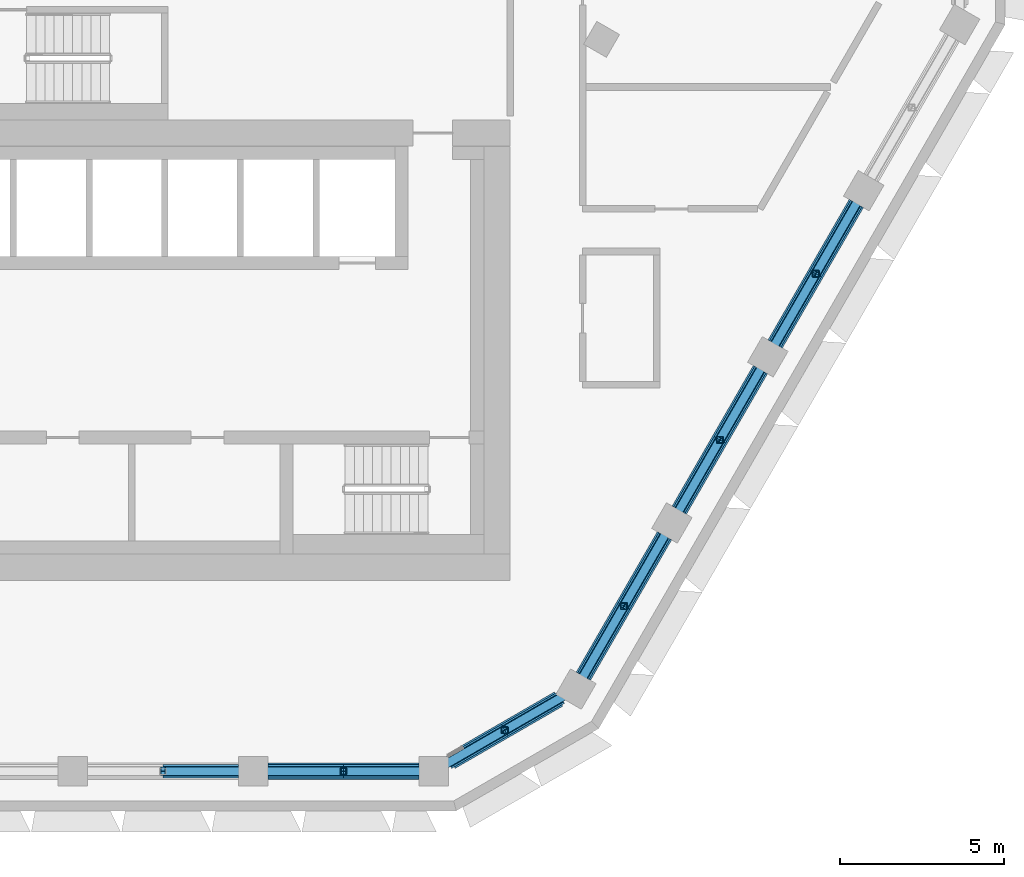
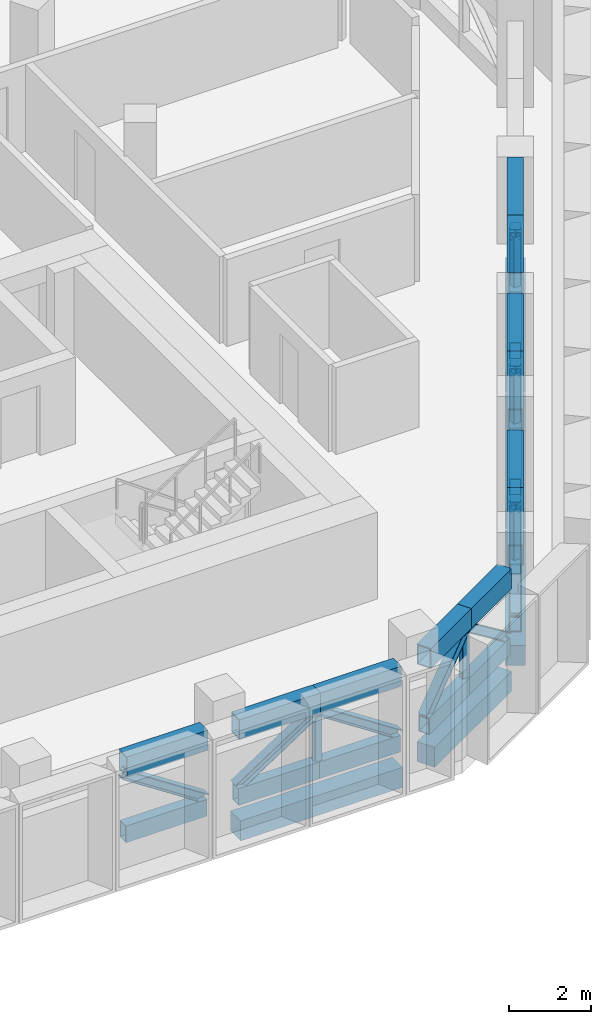
# One storey, part 5 of 22: 38 members, 5 beams.
"""IFC4 building model written with IfcOpenShell, lengths in metres."""

from ifc_helpers import new_model, si_unit, direction, frame, origin, origin_2d, place, context, subcontext, project, spatial, rectangle, hollow_rectangle, i_section, extrude, material, material_profile, profile_set, type_object, element, save


model = new_model("IFC4")

# Units and contexts
model_context = context("Model", 3, precision=1e-05, world=origin(), true_north=direction((0.0, 1.0)))
body_context = subcontext(model_context, "Body", "Model", "MODEL_VIEW")
ifc_project = project(units=[si_unit("LENGTHUNIT", "METRE"), si_unit("AREAUNIT", "SQUARE_METRE"), si_unit("VOLUMEUNIT", "CUBIC_METRE"), si_unit("PLANEANGLEUNIT", "RADIAN"), si_unit("MASSUNIT", "GRAM", prefix="KILO")], contexts=[model_context])

# Site, building, storey
site_placement = place(None, origin())
site = spatial("IfcSite", under=ifc_project, at=site_placement, CompositionType="ELEMENT")
building_placement = place(site_placement, origin())
building = spatial("IfcBuilding", under=site, at=building_placement, Name="Beryl Residences", CompositionType="ELEMENT")
storey_placement = place(building_placement, frame((0.0, 0.0, 153.60009765625)))
storey = spatial("IfcBuildingStorey", under=building, at=storey_placement, Name="L47", CompositionType="ELEMENT", Elevation=153.60009765625)

# Members
ifc_material_1 = material(Name="Steel S355", Category="steel")
ifc_material_profile_1 = material_profile(ifc_material_1, hollow_rectangle(XDim=0.300048828125, YDim=0.5, WallThickness=0.02001953125, at=origin_2d()))
ifc_profile_set_1 = profile_set([ifc_material_profile_1], Name="Steel S355")
member_type_1 = type_object("IfcMemberType", Name="BB3 belt truss bottom chord WB 500x300x20", PredefinedType="CHORD", material=ifc_profile_set_1)
member_1_placement = place(storey_placement, frame((2.743896484375, -24.800048828125, 0.25), z_axis=(1.0, 0.0, 0.0), x_axis=(0.0, 1.0, 0.0)))
element("IfcMember", 1, at=member_1_placement, inside=storey, type_object=member_type_1, Name="Belt truss BB3-S-2b L47", PredefinedType="CHORD", context=body_context, shape_type="SweptSolid", body=[
    extrude(hollow_rectangle(XDim=0.300048828125, YDim=0.5, WallThickness=0.02001953125, at=origin_2d()), origin(), (0.0, 0.0, 1.0), 2.2919921875),
])
member_2_placement = place(storey_placement, frame((5.93603515625, -24.800048828125, 0.25), z_axis=(1.0, 0.0, 0.0), x_axis=(0.0, 1.0, 0.0)))
element("IfcMember", 2, at=member_2_placement, inside=storey, type_object=member_type_1, Name="Belt truss BB3-S-3a L47", PredefinedType="CHORD", context=body_context, shape_type="SweptSolid", body=[
    extrude(hollow_rectangle(XDim=0.300048828125, YDim=0.5, WallThickness=0.02001953125, at=origin_2d()), origin(), (0.0, 0.0, 1.0), 2.29296875),
])
member_3_placement = place(storey_placement, frame((8.22900390625, -24.800048828125, 0.25), z_axis=(1.0, 0.0, 0.0), x_axis=(0.0, 1.0, 0.0)))
element("IfcMember", 3, at=member_3_placement, inside=storey, type_object=member_type_1, Name="Belt truss BB3-S-3b L47", PredefinedType="CHORD", context=body_context, shape_type="SweptSolid", body=[
    extrude(hollow_rectangle(XDim=0.300048828125, YDim=0.5, WallThickness=0.02001953125, at=origin_2d()), origin(), (0.0, 0.0, 1.0), 2.2919921875),
])
for number, where, z_axis, x_axis, name in (
    (4, (11.4208984375, -24.5400390625, 0.25), (0.865949355724, 0.500131695978, 0.0), (-0.500131695978, 0.865949355724, 0.0), "Belt truss BB3-S-4a L47"),
    (5, (13.135009765625, -23.550048828125, 0.25), (0.865949355724, 0.500131695978, 0.0), (-0.500131695978, 0.865949355724, 0.0), "Belt truss BB3-S-4b L47"),
):
    element("IfcMember", number, at=place(storey_placement, frame(where, z_axis=z_axis, x_axis=x_axis)), inside=storey, type_object=member_type_1, Name=name, PredefinedType="CHORD", context=body_context, shape_type="SweptSolid", body=[
        extrude(hollow_rectangle(XDim=0.300048828125, YDim=0.5, WallThickness=0.02001953125, at=origin_2d()), origin(), (0.0, 0.0, 1.0), 1.9794921875),
    ])
member_4_placement = place(storey_placement, frame((15.52392578125, -21.909912109375, 0.25), z_axis=(0.500325455839, 0.865837420212, 0.0), x_axis=(-0.865837420212, 0.500325455839, 0.0)))
element("IfcMember", 6, at=member_4_placement, inside=storey, type_object=member_type_1, Name="Belt truss BB3-SE-0a L47", PredefinedType="CHORD", context=body_context, shape_type="SweptSolid", body=[
    extrude(hollow_rectangle(XDim=0.300048828125, YDim=0.5, WallThickness=0.02001953125, at=origin_2d()), origin(), (0.0, 0.0, 1.0), 2.464599609375),
])
member_5_placement = place(storey_placement, frame((16.757080078125, -19.77587890625, 0.25), z_axis=(0.500122493779, 0.865954670417, 0.0), x_axis=(-0.865954670417, 0.500122493779, 0.0)))
element("IfcMember", 7, at=member_5_placement, inside=storey, type_object=member_type_1, Name="Belt truss BB3-SE-0b L47", PredefinedType="CHORD", context=body_context, shape_type="SweptSolid", body=[
    extrude(hollow_rectangle(XDim=0.300048828125, YDim=0.5, WallThickness=0.02001953125, at=origin_2d()), origin(), (0.0, 0.0, 1.0), 2.46533203125),
])
member_6_placement = place(storey_placement, frame((18.43994140625, -16.861083984375, 0.25), z_axis=(0.49985677305, 0.866108080112, 0.0), x_axis=(-0.866108080112, 0.49985677305, 0.0)))
element("IfcMember", 8, at=member_6_placement, inside=storey, type_object=member_type_1, Name="Belt truss BB3-SE-1a L47", PredefinedType="CHORD", context=body_context, shape_type="SweptSolid", body=[
    extrude(hollow_rectangle(XDim=0.300048828125, YDim=0.5, WallThickness=0.02001953125, at=origin_2d()), origin(), (0.0, 0.0, 1.0), 2.465087890625),
])
for number, where, z_axis, x_axis, name in (
    (9, (19.672119140625, -14.72607421875, 0.25), (0.500079606793, 0.865979437902, 0.0), (-0.865979437902, 0.500079606793, 0.0), "Belt truss BB3-SE-1b L47"),
    (10, (21.35498046875, -11.81103515625, 0.25), (0.500079606793, 0.865979437902, 0.0), (-0.865979437902, 0.500079606793, 0.0), "Belt truss BB3-SE-2a L47"),
):
    element("IfcMember", number, at=place(storey_placement, frame(where, z_axis=z_axis, x_axis=x_axis)), inside=storey, type_object=member_type_1, Name=name, PredefinedType="CHORD", context=body_context, shape_type="SweptSolid", body=[
        extrude(hollow_rectangle(XDim=0.300048828125, YDim=0.5, WallThickness=0.02001953125, at=origin_2d()), origin(), (0.0, 0.0, 1.0), 2.46533203125),
    ])
member_7_placement = place(storey_placement, frame((22.587890625, -9.676025390625, 0.25), z_axis=(0.500153862642, 0.865936552921, 0.0), x_axis=(-0.865936552921, 0.500153862642, 0.0)))
element("IfcMember", 11, at=member_7_placement, inside=storey, type_object=member_type_1, Name="Belt truss BB3-SE-2b L47", PredefinedType="CHORD", context=body_context, shape_type="SweptSolid", body=[
    extrude(hollow_rectangle(XDim=0.300048828125, YDim=0.5, WallThickness=0.02001953125, at=origin_2d()), origin(), (0.0, 0.0, 1.0), 2.465576171875),
])
ifc_material_2 = material(Name="Steel S355", Category="steel")
ifc_material_profile_2 = material_profile(ifc_material_2, i_section(OverallWidth=0.256103515625, OverallDepth=0.260009765625, WebThickness=0.010498046875, FlangeThickness=0.017333984375, FilletRadius=0.013916015625, at=origin_2d()))
ifc_profile_set_2 = profile_set([ifc_material_profile_2], Name="Steel S355")
member_type_2 = type_object("IfcMemberType", Name="BD3 belt truss diagonal 250UC90", PredefinedType="BRACE", material=ifc_profile_set_2)
member_8_placement = place(storey_placement, frame((5.035888671875, -24.800048828125, 0.5), z_axis=(-0.83673715822, 0.0, 0.547604718801), x_axis=(0.0, -1.0, 0.0)))
element("IfcMember", 12, at=member_8_placement, inside=storey, type_object=member_type_2, Name="Belt truss BD3-S-2b L47", PredefinedType="BRACE", context=body_context, shape_type="SweptSolid", body=[
    extrude(i_section(OverallWidth=0.256103515625, OverallDepth=0.260009765625, WebThickness=0.010498046875, FlangeThickness=0.017333984375, FilletRadius=0.013916015625, at=origin_2d()), origin(), (0.0, 0.0, 1.0), 2.7392578125),
])
member_9_placement = place(storey_placement, frame((5.93603515625, -24.800048828125, 0.5), z_axis=(0.836844018431, 0.0, 0.547441402176), x_axis=(0.0, 1.0, 0.0)))
element("IfcMember", 13, at=member_9_placement, inside=storey, type_object=member_type_2, Name="Belt truss BD3-S-3a L47", PredefinedType="BRACE", context=body_context, shape_type="SweptSolid", body=[
    extrude(i_section(OverallWidth=0.256103515625, OverallDepth=0.260009765625, WebThickness=0.010498046875, FlangeThickness=0.017333984375, FilletRadius=0.013916015625, at=origin_2d()), origin(), (0.0, 0.0, 1.0), 2.739990234375),
])
member_10_placement = place(storey_placement, frame((10.52099609375, -24.800048828125, 0.5), z_axis=(-0.83673715822, 0.0, 0.547604718801), x_axis=(0.0, -1.0, 0.0)))
element("IfcMember", 14, at=member_10_placement, inside=storey, type_object=member_type_2, Name="Belt truss BD3-S-3b L47", PredefinedType="BRACE", context=body_context, shape_type="SweptSolid", body=[
    extrude(i_section(OverallWidth=0.256103515625, OverallDepth=0.260009765625, WebThickness=0.010498046875, FlangeThickness=0.017333984375, FilletRadius=0.013916015625, at=origin_2d()), origin(), (0.0, 0.0, 1.0), 2.7392578125),
])
for number, where, z_axis, x_axis, name in (
    (15, (11.4208984375, -24.5400390625, 0.5), (0.690172655818, 0.398611325928, 0.603962512084), (-0.500131695978, 0.865949355724, 0.0), "Belt truss BD3-S-4a L47"),
    (16, (14.84912109375, -22.56005859375, 0.5), (-0.690172655818, -0.398611325928, 0.603962512084), (0.500131695978, -0.865949355724, 0.0), "Belt truss BD3-S-4b L47"),
):
    element("IfcMember", number, at=place(storey_placement, frame(where, z_axis=z_axis, x_axis=x_axis)), inside=storey, type_object=member_type_2, Name=name, PredefinedType="BRACE", context=body_context, shape_type="SweptSolid", body=[
        extrude(i_section(OverallWidth=0.256103515625, OverallDepth=0.260009765625, WebThickness=0.010498046875, FlangeThickness=0.017333984375, FilletRadius=0.013916015625, at=origin_2d()), origin(), (0.0, 0.0, 1.0), 2.483642578125),
    ])
member_11_placement = place(storey_placement, frame((15.52392578125, -21.909912109375, 0.5), z_axis=(0.427396903144, 0.739631029575, 0.519882512951), x_axis=(-0.865837420212, 0.500325455839, 0.0)))
element("IfcMember", 17, at=member_11_placement, inside=storey, type_object=member_type_2, Name="Belt truss BD3-SE-0a L47", PredefinedType="BRACE", context=body_context, shape_type="SweptSolid", body=[
    extrude(i_section(OverallWidth=0.256103515625, OverallDepth=0.260009765625, WebThickness=0.010498046875, FlangeThickness=0.017333984375, FilletRadius=0.013916015625, at=origin_2d()), origin(), (0.0, 0.0, 1.0), 2.88525390625),
])
member_12_placement = place(storey_placement, frame((17.989990234375, -17.64111328125, 0.5), z_axis=(-0.427247510114, -0.739772718502, 0.519803703394), x_axis=(0.865954670417, -0.500122493779, 0.0)))
element("IfcMember", 18, at=member_12_placement, inside=storey, type_object=member_type_2, Name="Belt truss BD3-SE-0b L47", PredefinedType="BRACE", context=body_context, shape_type="SweptSolid", body=[
    extrude(i_section(OverallWidth=0.256103515625, OverallDepth=0.260009765625, WebThickness=0.010498046875, FlangeThickness=0.017333984375, FilletRadius=0.013916015625, at=origin_2d()), origin(), (0.0, 0.0, 1.0), 2.8857421875),
])
member_13_placement = place(storey_placement, frame((18.43994140625, -16.861083984375, 0.5), z_axis=(0.427013264514, 0.739891222147, 0.51982752074), x_axis=(-0.866108080112, 0.49985677305, 0.0)))
element("IfcMember", 19, at=member_13_placement, inside=storey, type_object=member_type_2, Name="Belt truss BD3-SE-1a L47", PredefinedType="BRACE", context=body_context, shape_type="SweptSolid", body=[
    extrude(i_section(OverallWidth=0.256103515625, OverallDepth=0.260009765625, WebThickness=0.010498046875, FlangeThickness=0.017333984375, FilletRadius=0.013916015625, at=origin_2d()), origin(), (0.0, 0.0, 1.0), 2.885498046875),
])
for number, where, z_axis, x_axis, name in (
    (20, (20.905029296875, -12.591064453125, 0.5), (-0.427220770811, -0.739811017969, 0.519771171458), (0.865979437902, -0.500079606793, 0.0), "Belt truss BD3-SE-1b L47"),
    (21, (21.35498046875, -11.81103515625, 0.5), (0.427220770811, 0.739811017969, 0.519771171458), (-0.865979437902, 0.500079606793, 0.0), "Belt truss BD3-SE-2a L47"),
    (22, (23.821044921875, -7.541015625, 0.5), (-0.42728992458, -0.73978427845, 0.519752384997), (0.865936552921, -0.500153862642, 0.0), "Belt truss BD3-SE-2b L47"),
):
    element("IfcMember", number, at=place(storey_placement, frame(where, z_axis=z_axis, x_axis=x_axis)), inside=storey, type_object=member_type_2, Name=name, PredefinedType="BRACE", context=body_context, shape_type="SweptSolid", body=[
        extrude(i_section(OverallWidth=0.256103515625, OverallDepth=0.260009765625, WebThickness=0.010498046875, FlangeThickness=0.017333984375, FilletRadius=0.013916015625, at=origin_2d()), origin(), (0.0, 0.0, 1.0), 2.885986328125),
    ])
ifc_material_3 = material(Name="Steel S355", Category="steel")
ifc_material_profile_3 = material_profile(ifc_material_3, hollow_rectangle(XDim=0.199951171875, YDim=0.199951171875, WallThickness=0.009033203125, InnerFilletRadius=0.009033203125, OuterFilletRadius=0.01806640625, at=origin_2d()))
ifc_profile_set_3 = profile_set([ifc_material_profile_3], Name="Steel S355")
member_type_3 = type_object("IfcMemberType", Name="BQ3 belt truss post SHS 200x200x9", PredefinedType="POST", material=ifc_profile_set_3)
for number, where, z_axis, x_axis, name in (
    (23, (8.22900390625, -24.800048828125, 0.5), (0.0, 0.0, 1.0), (1.0, 0.0, 0.0), "Belt truss BQ3-S-3 L47"),
    (24, (13.135009765625, -23.550048828125, 0.5), (0.0, 0.0, 1.0), (1.0, 0.0, 0.0), "Belt truss BQ3-S-4 L47"),
    (25, (16.757080078125, -19.77587890625, 0.5), (0.0, 0.0, 1.0), (1.0, 0.0, 0.0), "Belt truss BQ3-SE-0 L47"),
    (26, (19.672119140625, -14.72607421875, 0.5), (0.0, 0.0, 1.0), (1.0, 0.0, 0.0), "Belt truss BQ3-SE-1 L47"),
    (27, (22.587890625, -9.676025390625, 0.5), (0.0, 0.0, 1.0), (1.0, 0.0, 0.0), "Belt truss BQ3-SE-2 L47"),
):
    element("IfcMember", number, at=place(storey_placement, frame(where, z_axis=z_axis, x_axis=x_axis)), inside=storey, type_object=member_type_3, Name=name, PredefinedType="POST", context=body_context, shape_type="SweptSolid", body=[
        extrude(hollow_rectangle(XDim=0.199951171875, YDim=0.199951171875, WallThickness=0.009033203125, InnerFilletRadius=0.009033203125, OuterFilletRadius=0.01806640625, at=origin_2d()), origin(), (0.0, 0.0, 1.0), 1.5),
    ])
ifc_material_4 = material(Name="Steel S355", Category="steel")
ifc_material_profile_4 = material_profile(ifc_material_4, hollow_rectangle(XDim=0.39990234375, YDim=0.60009765625, WallThickness=0.030029296875, at=origin_2d()))
ifc_profile_set_4 = profile_set([ifc_material_profile_4], Name="Steel S355")
member_type_4 = type_object("IfcMemberType", Name="BT3 belt truss top chord WB 600x400x30", PredefinedType="CHORD", material=ifc_profile_set_4)
member_14_placement = place(storey_placement, frame((2.743896484375, -24.800048828125, 2.2998046875), z_axis=(1.0, 0.0, 0.0), x_axis=(0.0, 1.0, 0.0)))
element("IfcMember", 28, at=member_14_placement, inside=storey, type_object=member_type_4, Name="Belt truss BT3-S-2b L47", PredefinedType="CHORD", context=body_context, shape_type="SweptSolid", body=[
    extrude(hollow_rectangle(XDim=0.39990234375, YDim=0.60009765625, WallThickness=0.030029296875, at=origin_2d()), origin(), (0.0, 0.0, 1.0), 2.2919921875),
])
member_15_placement = place(storey_placement, frame((5.93603515625, -24.800048828125, 2.2998046875), z_axis=(1.0, 0.0, 0.0), x_axis=(0.0, 1.0, 0.0)))
element("IfcMember", 29, at=member_15_placement, inside=storey, type_object=member_type_4, Name="Belt truss BT3-S-3a L47", PredefinedType="CHORD", context=body_context, shape_type="SweptSolid", body=[
    extrude(hollow_rectangle(XDim=0.39990234375, YDim=0.60009765625, WallThickness=0.030029296875, at=origin_2d()), origin(), (0.0, 0.0, 1.0), 2.29296875),
])
member_16_placement = place(storey_placement, frame((8.22900390625, -24.800048828125, 2.2998046875), z_axis=(1.0, 0.0, 0.0), x_axis=(0.0, 1.0, 0.0)))
element("IfcMember", 30, at=member_16_placement, inside=storey, type_object=member_type_4, Name="Belt truss BT3-S-3b L47", PredefinedType="CHORD", context=body_context, shape_type="SweptSolid", body=[
    extrude(hollow_rectangle(XDim=0.39990234375, YDim=0.60009765625, WallThickness=0.030029296875, at=origin_2d()), origin(), (0.0, 0.0, 1.0), 2.2919921875),
])
for number, where, z_axis, x_axis, name in (
    (31, (11.4208984375, -24.5400390625, 2.2998046875), (0.865949355724, 0.500131695978, 0.0), (-0.500131695978, 0.865949355724, 0.0), "Belt truss BT3-S-4a L47"),
    (32, (13.135009765625, -23.550048828125, 2.2998046875), (0.865949355724, 0.500131695978, 0.0), (-0.500131695978, 0.865949355724, 0.0), "Belt truss BT3-S-4b L47"),
):
    element("IfcMember", number, at=place(storey_placement, frame(where, z_axis=z_axis, x_axis=x_axis)), inside=storey, type_object=member_type_4, Name=name, PredefinedType="CHORD", context=body_context, shape_type="SweptSolid", body=[
        extrude(hollow_rectangle(XDim=0.39990234375, YDim=0.60009765625, WallThickness=0.030029296875, at=origin_2d()), origin(), (0.0, 0.0, 1.0), 1.9794921875),
    ])
member_17_placement = place(storey_placement, frame((15.52392578125, -21.909912109375, 2.2998046875), z_axis=(0.500325455839, 0.865837420212, 0.0), x_axis=(-0.865837420212, 0.500325455839, 0.0)))
element("IfcMember", 33, at=member_17_placement, inside=storey, type_object=member_type_4, Name="Belt truss BT3-SE-0a L47", PredefinedType="CHORD", context=body_context, shape_type="SweptSolid", body=[
    extrude(hollow_rectangle(XDim=0.39990234375, YDim=0.60009765625, WallThickness=0.030029296875, at=origin_2d()), origin(), (0.0, 0.0, 1.0), 2.464599609375),
])
member_18_placement = place(storey_placement, frame((16.757080078125, -19.77587890625, 2.2998046875), z_axis=(0.500122493779, 0.865954670417, 0.0), x_axis=(-0.865954670417, 0.500122493779, 0.0)))
element("IfcMember", 34, at=member_18_placement, inside=storey, type_object=member_type_4, Name="Belt truss BT3-SE-0b L47", PredefinedType="CHORD", context=body_context, shape_type="SweptSolid", body=[
    extrude(hollow_rectangle(XDim=0.39990234375, YDim=0.60009765625, WallThickness=0.030029296875, at=origin_2d()), origin(), (0.0, 0.0, 1.0), 2.46533203125),
])
member_19_placement = place(storey_placement, frame((18.43994140625, -16.861083984375, 2.2998046875), z_axis=(0.49985677305, 0.866108080112, 0.0), x_axis=(-0.866108080112, 0.49985677305, 0.0)))
element("IfcMember", 35, at=member_19_placement, inside=storey, type_object=member_type_4, Name="Belt truss BT3-SE-1a L47", PredefinedType="CHORD", context=body_context, shape_type="SweptSolid", body=[
    extrude(hollow_rectangle(XDim=0.39990234375, YDim=0.60009765625, WallThickness=0.030029296875, at=origin_2d()), origin(), (0.0, 0.0, 1.0), 2.465087890625),
])
for number, where, z_axis, x_axis, name in (
    (36, (19.672119140625, -14.72607421875, 2.2998046875), (0.500079606793, 0.865979437902, 0.0), (-0.865979437902, 0.500079606793, 0.0), "Belt truss BT3-SE-1b L47"),
    (37, (21.35498046875, -11.81103515625, 2.2998046875), (0.500079606793, 0.865979437902, 0.0), (-0.865979437902, 0.500079606793, 0.0), "Belt truss BT3-SE-2a L47"),
):
    element("IfcMember", number, at=place(storey_placement, frame(where, z_axis=z_axis, x_axis=x_axis)), inside=storey, type_object=member_type_4, Name=name, PredefinedType="CHORD", context=body_context, shape_type="SweptSolid", body=[
        extrude(hollow_rectangle(XDim=0.39990234375, YDim=0.60009765625, WallThickness=0.030029296875, at=origin_2d()), origin(), (0.0, 0.0, 1.0), 2.46533203125),
    ])
member_20_placement = place(storey_placement, frame((22.587890625, -9.676025390625, 2.2998046875), z_axis=(0.500153862642, 0.865936552921, 0.0), x_axis=(-0.865936552921, 0.500153862642, 0.0)))
element("IfcMember", 38, at=member_20_placement, inside=storey, type_object=member_type_4, Name="Belt truss BT3-SE-2b L47", PredefinedType="CHORD", context=body_context, shape_type="SweptSolid", body=[
    extrude(hollow_rectangle(XDim=0.39990234375, YDim=0.60009765625, WallThickness=0.030029296875, at=origin_2d()), origin(), (0.0, 0.0, 1.0), 2.465576171875),
])

# Beams
ifc_material_5 = material(Name="Concrete C60/75", Category="concrete")
ifc_material_profile_5 = material_profile(ifc_material_5, rectangle(XDim=0.5, YDim=0.60009765625, at=origin_2d()))
ifc_profile_set_5 = profile_set([ifc_material_profile_5], Name="Concrete C60/75")
beam_type = type_object("IfcBeamType", Name="SB3 spandrel beam 500 x 600 C60/75", PredefinedType="SPANDREL", material=ifc_profile_set_5)
beam_1_placement = place(storey_placement, frame((5.93603515625, -24.800048828125, -0.7001953125), z_axis=(1.0, 0.0, 0.0), x_axis=(0.0, 1.0, 0.0)))
element("IfcBeam", 39, at=beam_1_placement, inside=storey, type_object=beam_type, Name="SB3 L47 S-3", PredefinedType="SPANDREL", context=body_context, shape_type="SweptSolid", body=[
    extrude(rectangle(XDim=0.5, YDim=0.60009765625, at=origin_2d()), origin(), (0.0, 0.0, 1.0), 4.5849609375),
])
beam_2_placement = place(storey_placement, frame((11.5029296875, -24.492919921875, -0.7001953125), z_axis=(0.865861956233, 0.500282992663, 0.0), x_axis=(-0.500282992663, 0.865861956233, 0.0)))
element("IfcBeam", 40, at=beam_2_placement, inside=storey, type_object=beam_type, Name="SB3 L47 S-4", PredefinedType="SPANDREL", context=body_context, shape_type="SweptSolid", body=[
    extrude(rectangle(XDim=0.5, YDim=0.60009765625, at=origin_2d()), origin(), (0.0, 0.0, 1.0), 3.769775390625),
])
beam_3_placement = place(storey_placement, frame((15.52392578125, -21.909912109375, -0.7001953125), z_axis=(0.500223967704, 0.86589605735, 0.0), x_axis=(-0.86589605735, 0.500223967704, 0.0)))
element("IfcBeam", 41, at=beam_3_placement, inside=storey, type_object=beam_type, Name="SB3 L47 SE-0", PredefinedType="SPANDREL", context=body_context, shape_type="SweptSolid", body=[
    extrude(rectangle(XDim=0.5, YDim=0.60009765625, at=origin_2d()), origin(), (0.0, 0.0, 1.0), 4.929931640625),
])
beam_4_placement = place(storey_placement, frame((18.43994140625, -16.861083984375, -0.7001953125), z_axis=(0.499968202334, 0.866043761397, 0.0), x_axis=(-0.866043761397, 0.499968202334, 0.0)))
element("IfcBeam", 42, at=beam_4_placement, inside=storey, type_object=beam_type, Name="SB3 L47 SE-1", PredefinedType="SPANDREL", context=body_context, shape_type="SweptSolid", body=[
    extrude(rectangle(XDim=0.5, YDim=0.60009765625, at=origin_2d()), origin(), (0.0, 0.0, 1.0), 4.930419921875),
])
beam_5_placement = place(storey_placement, frame((21.35498046875, -11.81103515625, -0.7001953125), z_axis=(0.500116736097, 0.865957995677, 0.0), x_axis=(-0.865957995677, 0.500116736097, 0.0)))
element("IfcBeam", 43, at=beam_5_placement, inside=storey, type_object=beam_type, Name="SB3 L47 SE-2", PredefinedType="SPANDREL", context=body_context, shape_type="SweptSolid", body=[
    extrude(rectangle(XDim=0.5, YDim=0.60009765625, at=origin_2d()), origin(), (0.0, 0.0, 1.0), 4.930908203125),
])

save(model, "model.ifc")
